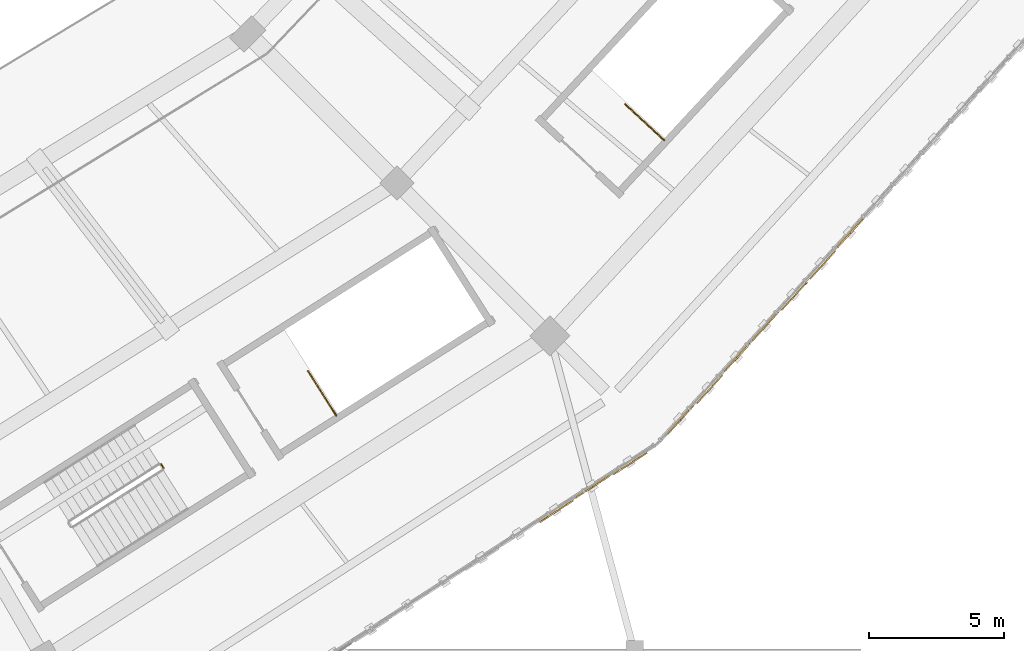
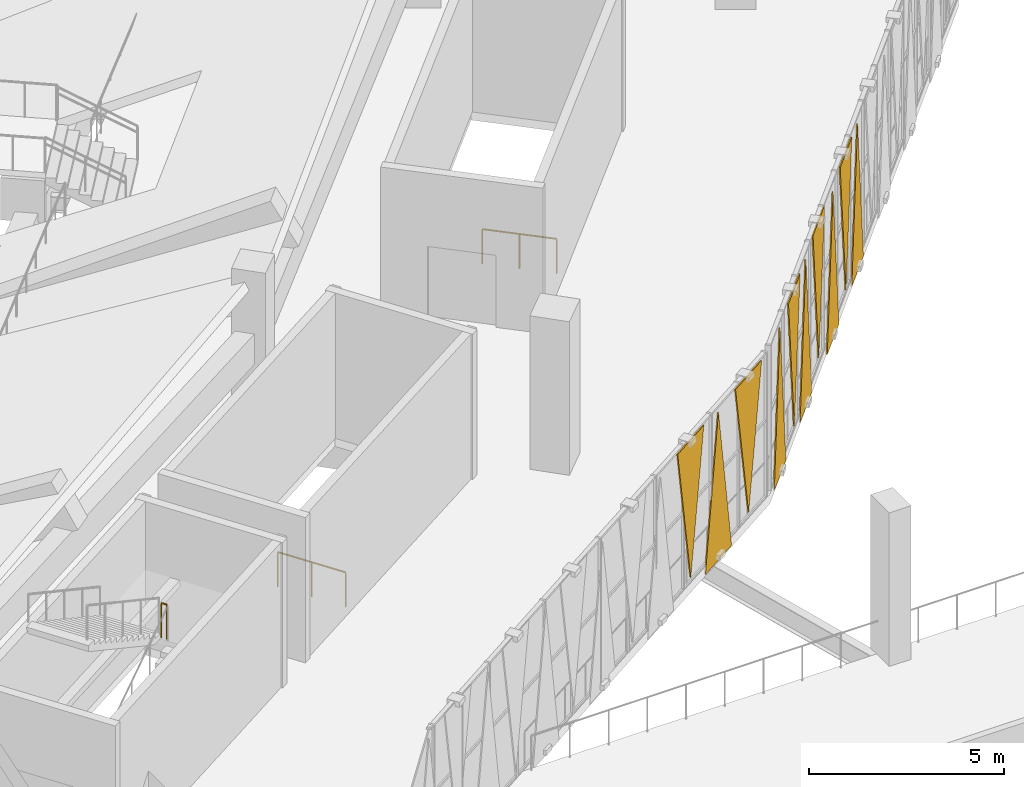
# One storey, part 129 of 152: 10 coverings, 3 railings.
"""IFC4 building model written with IfcOpenShell, lengths in metres."""

from ifc_helpers import new_model, si_unit, direction, frame, origin, origin_2d, place, context, subcontext, project, spatial, polyline, circle, outline, extrude, material, layer, layer_set, type_object, element, save


model = new_model("IFC4")

# Units and contexts
model_context = context("Model", 3, precision=1e-05, world=origin(), true_north=direction((0.0, 1.0)))
body_context = subcontext(model_context, "Body", "Model", "MODEL_VIEW")
ifc_project = project(units=[si_unit("LENGTHUNIT", "METRE"), si_unit("AREAUNIT", "SQUARE_METRE"), si_unit("VOLUMEUNIT", "CUBIC_METRE"), si_unit("PLANEANGLEUNIT", "RADIAN"), si_unit("MASSUNIT", "GRAM", prefix="KILO")], contexts=[model_context])

# Site, building, storey
site_placement = place(None, origin())
site = spatial("IfcSite", under=ifc_project, at=site_placement, CompositionType="ELEMENT")
building_placement = place(site_placement, origin())
building = spatial("IfcBuilding", under=site, at=building_placement, Name="Zevraka Park Crest Stadium", CompositionType="ELEMENT")
storey_placement = place(building_placement, frame((0.0, 0.0, 15.0)))
storey = spatial("IfcBuildingStorey", under=building, at=storey_placement, Name="L03", CompositionType="ELEMENT", Elevation=15.0)

# Coverings
ifc_material_1 = material(Name="Architectural golden-bronze perforated aluminium", Category="aluminium")
ifc_layer = layer(ifc_material_1, 0.034912109375)
ifc_layer_set = layer_set([ifc_layer], Name="Architectural golden-bronze perforated aluminium")
covering_type = type_object("IfcCoveringType", Name="CLD01", PredefinedType="CLADDING", material=ifc_layer_set)
covering_1_placement = place(storey_placement, frame((176.705078125, 32.6669921875, 4.52001953125), z_axis=(-0.543637363059, 0.83932021149, 8.393881e-06), x_axis=(-0.839320211519, -0.543637363078, 0.0)))
element("IfcCovering", 1, at=covering_1_placement, inside=storey, type_object=covering_type, Name="Triangular Golden-Bronze Perforated Cladding L03-20-12", PredefinedType="CLADDING", context=body_context, shape_type="SweptSolid", body=[
    extrude(outline(polyline([(0.0, 0.0), (1.4680663201763386, 8.470329472543003e-22), (0.733864342024864, -4.300048828276484), (0.0, 0.0)])), origin(), (0.0, 0.0, -1.0), 0.034912109375),
])
covering_2_placement = place(storey_placement, frame((176.839111328125, 32.75390625, -0.260009765625), z_axis=(0.543244375941, -0.839574615926, 0.000110914), x_axis=(0.83957462109, 0.543244379282, 0.0)))
element("IfcCovering", 2, at=covering_2_placement, inside=storey, type_object=covering_type, Name="Triangular Golden-Bronze Perforated Cladding L03-20-13", PredefinedType="CLADDING", context=body_context, shape_type="SweptSolid", body=[
    extrude(outline(polyline([(0.0, 0.0), (1.4673306729433993, 0.0), (0.7339969065274139, 4.620117215918146), (0.0, 0.0)])), origin(), (0.0, 0.0, -1.0), 0.034912109375),
])
covering_3_placement = place(storey_placement, frame((179.43701171875, 34.43603515625, 4.52001953125), z_axis=(-0.543713251999, 0.839271052183, 2.3825329e-05), x_axis=(-0.839271052422, -0.543713252153, 0.0)))
element("IfcCovering", 3, at=covering_3_placement, inside=storey, type_object=covering_type, Name="Triangular Golden-Bronze Perforated Cladding L03-20-14", PredefinedType="CLADDING", context=body_context, shape_type="SweptSolid", body=[
    extrude(outline(polyline([(0.0, 0.0), (1.4678614140157709, 0.0), (0.7338643357612846, -4.300048829345455), (0.0, 0.0)])), origin(), (0.0, 0.0, -1.0), 0.034912109375),
])
covering_4_placement = place(storey_placement, frame((180.239013671875, 35.115966796875, -0.260009765625), z_axis=(0.740003442257, -0.672603081417, 1.7771166e-05), x_axis=(0.672603081524, 0.740003442374, 0.0)))
element("IfcCovering", 4, at=covering_4_placement, inside=storey, type_object=covering_type, Name="Triangular Golden-Bronze Perforated Cladding L03-21-1", PredefinedType="CLADDING", context=body_context, shape_type="SweptSolid", body=[
    extrude(outline(polyline([(0.0, 0.0), (1.394564353058445, 0.0), (0.6973725089806841, 4.620117188229551), (0.0, 0.0)])), origin(), (0.0, 0.0, -1.0), 0.034912109375),
])
covering_5_placement = place(storey_placement, frame((182.22412109375, 37.299072265625, 4.52001953125), z_axis=(-0.739567864577, 0.67308199078, 8.5867181e-05), x_axis=(-0.673081993261, -0.739567867303, 0.0)))
element("IfcCovering", 5, at=covering_5_placement, inside=storey, type_object=covering_type, Name="Triangular Golden-Bronze Perforated Cladding L03-21-2", PredefinedType="CLADDING", context=body_context, shape_type="SweptSolid", body=[
    extrude(outline(polyline([(0.0, 0.0), (1.3953856941325256, -1.3552527156068805e-20), (0.698193942993217, -4.300048843977502), (0.0, 0.0)])), origin(), (0.0, 0.0, -1.0), 0.034912109375),
])
covering_6_placement = place(storey_placement, frame((182.33203125, 37.41796875, -0.260009765625), z_axis=(0.740003442257, -0.672603081417, 1.7771166e-05), x_axis=(0.672603081524, 0.740003442374, 0.0)))
element("IfcCovering", 6, at=covering_6_placement, inside=storey, type_object=covering_type, Name="Triangular Golden-Bronze Perforated Cladding L03-21-3", PredefinedType="CLADDING", context=body_context, shape_type="SweptSolid", body=[
    extrude(outline(polyline([(0.0, 0.0), (1.394564353058445, 0.0), (0.6973725089806841, 4.620117188229551), (0.0, 0.0)])), origin(), (0.0, 0.0, -1.0), 0.034912109375),
])
covering_7_placement = place(storey_placement, frame((184.31689453125, 39.60107421875, 4.52001953125), z_axis=(0.739971727346, -0.672637972908, 1.1449014e-05), x_axis=(-0.672637972952, -0.739971727395, 0.0)))
element("IfcCovering", 7, at=covering_7_placement, inside=storey, type_object=covering_type, Name="Triangular Golden-Bronze Perforated Cladding L03-21-4", PredefinedType="CLADDING", context=body_context, shape_type="SweptSolid", body=[
    extrude(outline(polyline([(0.0, 0.0), (1.3959438531687058, -1.6940658945086007e-21), (0.6987520059946044, 4.300048828406826), (0.0, 0.0)])), origin(), (0.0, 0.0, -1.0), 0.034912109375),
])
covering_8_placement = place(storey_placement, frame((184.424072265625, 39.718994140625, -0.260009765625), z_axis=(-0.739654964732, 0.67298627735, 6.0389811e-05), x_axis=(0.672986278577, 0.73965496608, 0.0)))
element("IfcCovering", 8, at=covering_8_placement, inside=storey, type_object=covering_type, Name="Triangular Golden-Bronze Perforated Cladding L03-21-5", PredefinedType="CLADDING", context=body_context, shape_type="SweptSolid", body=[
    extrude(outline(polyline([(0.0, 0.0), (1.3952213791572479, 0.0), (0.6980295860728118, -4.620117195924622), (0.0, 0.0)])), origin(), (0.0, 0.0, -1.0), 0.034912109375),
])
covering_9_placement = place(storey_placement, frame((186.409912109375, 41.902099609375, 4.52001953125), z_axis=(-0.739654964523, 0.67298627716, 6.4884846e-05), x_axis=(-0.672986278577, -0.73965496608, 0.0)))
element("IfcCovering", 9, at=covering_9_placement, inside=storey, type_object=covering_type, Name="Triangular Golden-Bronze Perforated Cladding L03-21-6", PredefinedType="CLADDING", context=body_context, shape_type="SweptSolid", body=[
    extrude(outline(polyline([(0.0, 0.0), (1.3952213791572479, -6.776263578034403e-21), (0.6980295860728118, -4.300048837176696), (0.0, 0.0)])), origin(), (0.0, 0.0, -1.0), 0.034912109375),
])
covering_10_placement = place(storey_placement, frame((186.51708984375, 42.02001953125, -0.260009765625), z_axis=(0.739971727353, -0.672637972914, 1.0655859e-05), x_axis=(0.672637972952, 0.739971727395, 0.0)))
element("IfcCovering", 10, at=covering_10_placement, inside=storey, type_object=covering_type, Name="Triangular Golden-Bronze Perforated Cladding L03-21-7", PredefinedType="CLADDING", context=body_context, shape_type="SweptSolid", body=[
    extrude(outline(polyline([(0.0, 0.0), (1.3959438531687058, 2.541098841762901e-21), (0.6987520059946044, 4.620117187762301), (0.0, 0.0)])), origin(), (0.0, 0.0, -1.0), 0.034912109375),
])

# Railings
ifc_material_2 = material(Name="Powder-coated tubular steel stairwell guard", Category="steel")
railing_type = type_object("IfcRailingType", Name="GR03", PredefinedType="GUARDRAIL", material=ifc_material_2)
railing_1_placement = place(storey_placement, frame((161.557861328125, 33.8681640625, 2.39990234375)))
element("IfcRailing", 11, at=railing_1_placement, inside=storey, type_object=railing_type, Name="L03 ST21 stair guard 2", PredefinedType="GUARDRAIL", context=body_context, shape_type="SweptSolid", body=[
    extrude(circle(Radius=0.02392578125, at=origin_2d()), frame((0.0, 0.0, 1.076171875), z_axis=(-0.535887230789, 0.844289568736, 0.0), x_axis=(-0.844289568736, -0.535887230789, 0.0)), (0.0, 0.0, 1.0), 0.159912109375),
    extrude(circle(Radius=0.02099609375, at=origin_2d()), origin(), (0.0, 0.0, 1.0), 1.052001953125),
    extrude(circle(Radius=0.02099609375, at=origin_2d()), frame((-0.085693359375, 0.135009765625, 0.0)), (0.0, 0.0, 1.0), 1.052001953125),
])
railing_2_placement = place(storey_placement, frame((180.083740234375, 45.98583984375, 0.0)))
element("IfcRailing", 12, at=railing_2_placement, inside=storey, type_object=railing_type, Name="L03 ST22 top well guard 1", PredefinedType="GUARDRAIL", context=body_context, shape_type="SweptSolid", body=[
    extrude(circle(Radius=0.02392578125, at=origin_2d()), frame((0.0, 0.0, 1.076171875), z_axis=(-0.733019701773, 0.680207407202, 0.0), x_axis=(-0.680207407202, -0.733019701773, 0.0)), (0.0, 0.0, 1.0), 1.9599609375),
    extrude(circle(Radius=0.02099609375, at=origin_2d()), origin(), (0.0, 0.0, 1.0), 1.052001953125),
    extrude(circle(Radius=0.02099609375, at=origin_2d()), frame((-0.71826171875, 0.66650390625, 0.0)), (0.0, 0.0, 1.0), 1.052001953125),
    extrude(circle(Radius=0.02099609375, at=origin_2d()), frame((-1.436767578125, 1.333251953125, 0.0)), (0.0, 0.0, 1.0), 1.052001953125),
])
railing_3_placement = place(storey_placement, frame((167.955810546875, 35.79541015625, 0.0)))
element("IfcRailing", 13, at=railing_3_placement, inside=storey, type_object=railing_type, Name="L03 ST32 top well guard 1", PredefinedType="GUARDRAIL", context=body_context, shape_type="SweptSolid", body=[
    extrude(circle(Radius=0.02392578125, at=origin_2d()), frame((0.0, 0.0, 1.076171875), z_axis=(-0.535730515973, 0.844389018317, 0.0), x_axis=(-0.844389018317, -0.535730515973, 0.0)), (0.0, 0.0, 1.0), 1.9599609375),
    extrude(circle(Radius=0.02099609375, at=origin_2d()), origin(), (0.0, 0.0, 1.0), 1.052001953125),
    extrude(circle(Radius=0.02099609375, at=origin_2d()), frame((-0.52490234375, 0.82763671875, 0.0)), (0.0, 0.0, 1.0), 1.052001953125),
    extrude(circle(Radius=0.02099609375, at=origin_2d()), frame((-1.050048828125, 1.655029296875, 0.0)), (0.0, 0.0, 1.0), 1.052001953125),
])

save(model, "model.ifc")
